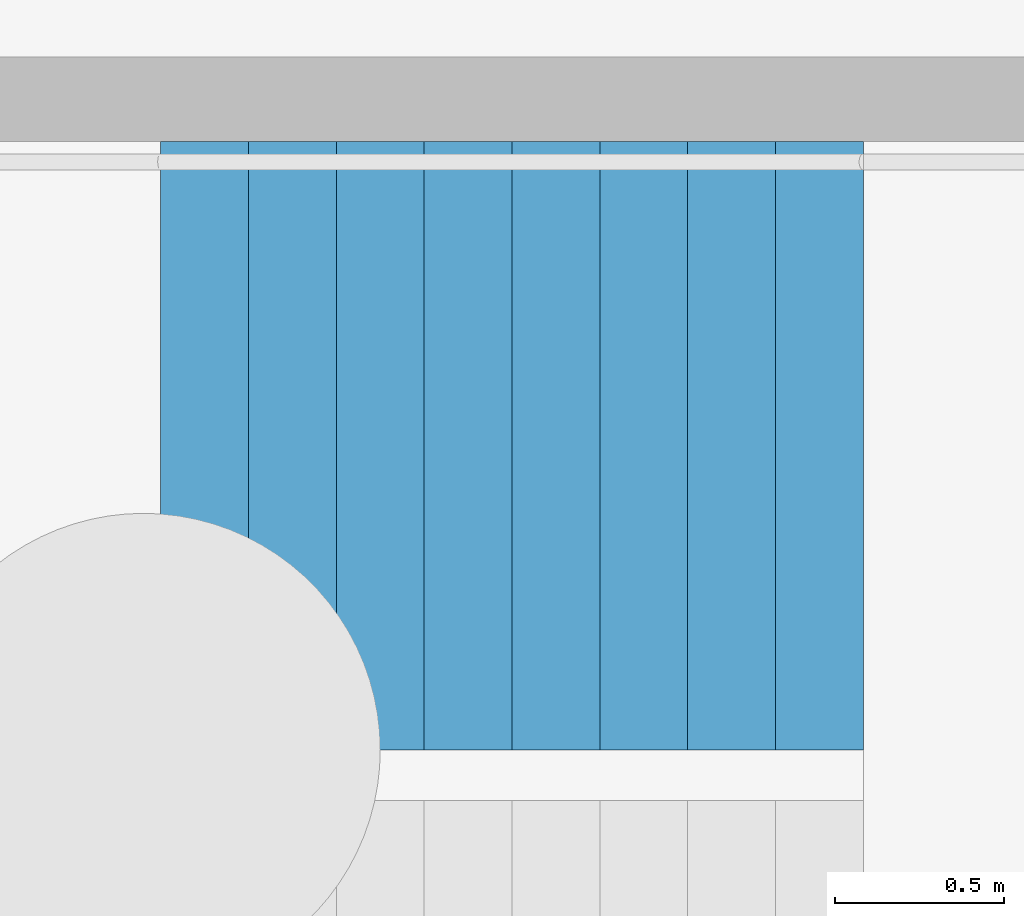
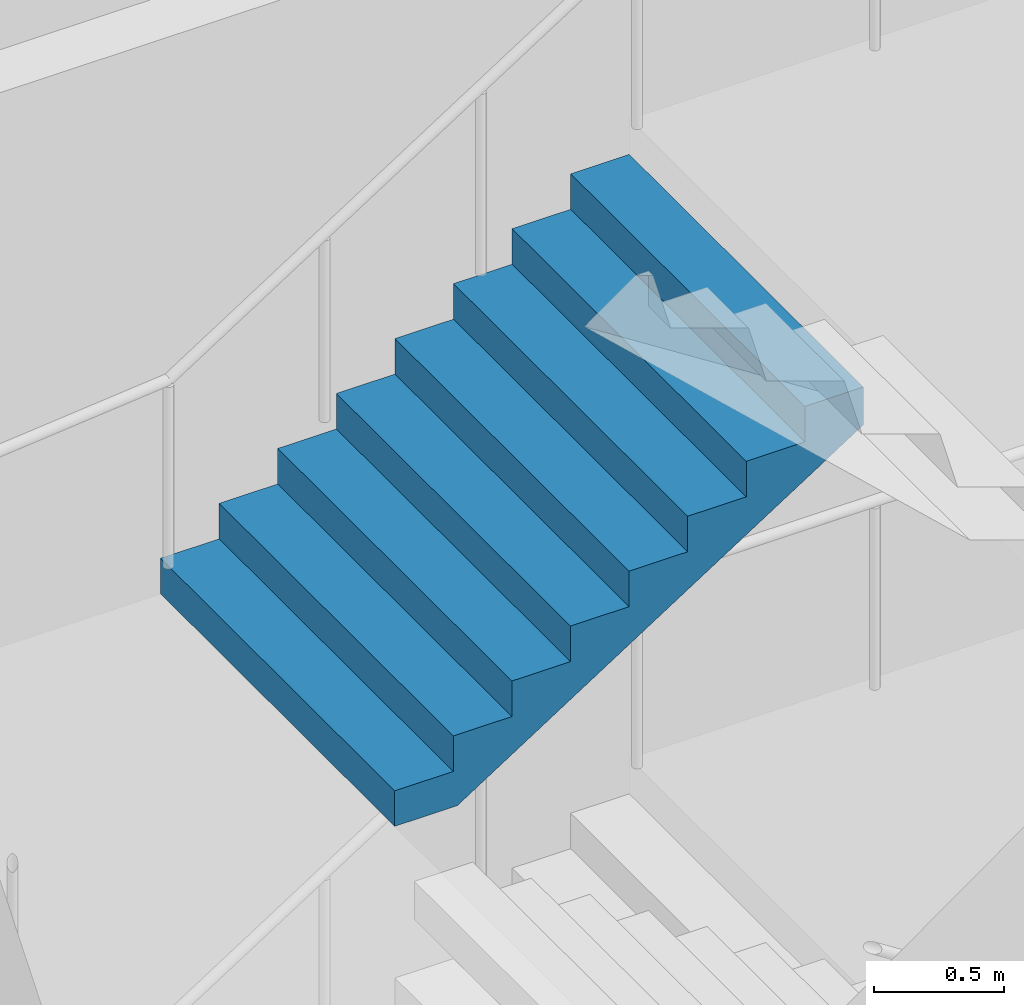
# One storey, part 77 of 113: 1 stair flight, 1 element without a shape of its own.
"""IFC4 building model written with IfcOpenShell, lengths in metres."""

from ifc_helpers import new_model, si_unit, direction, frame, origin, place, context, subcontext, project, spatial, triangles, material, type_object, element, aggregate, save


model = new_model("IFC4")

# Units and contexts
model_context = context("Model", 3, precision=1e-05, world=origin(), true_north=direction((0.0, 1.0)))
body_context = subcontext(model_context, "Body", "Model", "MODEL_VIEW")
ifc_project = project(units=[si_unit("LENGTHUNIT", "METRE"), si_unit("AREAUNIT", "SQUARE_METRE"), si_unit("VOLUMEUNIT", "CUBIC_METRE"), si_unit("PLANEANGLEUNIT", "RADIAN"), si_unit("MASSUNIT", "GRAM", prefix="KILO")], contexts=[model_context])

# Site, building, storey
site_placement = place(None, origin())
site = spatial("IfcSite", under=ifc_project, at=site_placement, CompositionType="ELEMENT")
building_placement = place(site_placement, origin())
building = spatial("IfcBuilding", under=site, at=building_placement, Name="Hakoniwa Tower and Hamabe Station Hall", CompositionType="ELEMENT")
storey_placement = place(building_placement, origin())
storey = spatial("IfcBuildingStorey", under=building, at=storey_placement, Name="L01", CompositionType="ELEMENT", Elevation=0.0)

# Stair, stair flight
ifc_material_1 = material(Name="Concrete C40", Category="concrete")
stair_type = type_object("IfcStairType", Name="ESCAPE STAIR 1800", PredefinedType="HALF_TURN_STAIR", material=ifc_material_1)
stair_placement = place(storey_placement, origin())
stair = element("IfcStair", 1, at=stair_placement, inside=storey, type_object=stair_type, Name="Escape stair ST-4 L01", PredefinedType="HALF_TURN_STAIR")
ifc_material_2 = material(Name="Concrete C40", Category="concrete")
stair_flight_type = type_object("IfcStairFlightType", Name="STAIR FLIGHT 1800", PredefinedType="STRAIGHT", material=ifc_material_2)
stair_flight_placement = place(storey_placement, frame((23.39990234375, -4.64990234375, 6.0), z_axis=(0.0, 0.0, 1.0), x_axis=(1.0, 0.0, 0.0)))
stair_flight = element("IfcStairFlight", 2, at=stair_flight_placement, type_object=stair_flight_type, Name="ST-4 flight 5", NumberOfRisers=9, NumberOfTreads=8, PredefinedType="STRAIGHT", RiserHeight=0.166666667, TreadLength=0.26, context=body_context, shape_type="Tessellation", body=[
    triangles([(0.0, 0.89990234375, 0.0), (0.260009765625, 0.89990234375, 0.0), (0.27783203125, 0.89990234375, 0.0), (0.52001953125, 0.89990234375, 0.1552734375), (0.780029296875, 0.89990234375, 0.322021484375), (1.0400390625, 0.89990234375, 0.488525390625), (1.300048828125, 0.89990234375, 0.6552734375), (1.56005859375, 0.89990234375, 0.822021484375), (1.820068359375, 0.89990234375, 0.988525390625), (2.080078125, 0.89990234375, 1.1552734375), (2.080078125, 0.89990234375, 1.333251953125), (1.820068359375, 0.89990234375, 1.333251953125), (1.820068359375, 0.89990234375, 1.166748046875), (1.56005859375, 0.89990234375, 1.166748046875), (1.56005859375, 0.89990234375, 1.0), (1.300048828125, 0.89990234375, 1.0), (1.300048828125, 0.89990234375, 0.833251953125), (1.0400390625, 0.89990234375, 0.833251953125), (1.0400390625, 0.89990234375, 0.666748046875), (0.780029296875, 0.89990234375, 0.666748046875), (0.780029296875, 0.89990234375, 0.5), (0.52001953125, 0.89990234375, 0.5), (0.52001953125, 0.89990234375, 0.333251953125), (0.27783203125, 0.89990234375, 0.333251953125), (0.260009765625, 0.89990234375, 0.333251953125), (0.260009765625, 0.89990234375, 0.166748046875), (0.0, 0.89990234375, 0.166748046875), (0.0, 0.06005859375, 0.0), (0.260009765625, 0.06005859375, 0.0), (0.27783203125, 0.06005859375, 0.0), (0.52001953125, 0.06005859375, 0.1552734375), (0.780029296875, 0.06005859375, 0.322021484375), (1.0400390625, 0.06005859375, 0.488525390625), (1.300048828125, 0.06005859375, 0.6552734375), (1.56005859375, 0.06005859375, 0.822021484375), (1.820068359375, 0.06005859375, 0.988525390625), (2.080078125, 0.06005859375, 1.1552734375), (2.080078125, 0.06005859375, 1.333251953125), (1.820068359375, 0.06005859375, 1.333251953125), (1.820068359375, 0.06005859375, 1.166748046875), (1.56005859375, 0.06005859375, 1.166748046875), (1.56005859375, 0.06005859375, 1.0), (1.300048828125, 0.06005859375, 1.0), (1.300048828125, 0.06005859375, 0.833251953125), (1.0400390625, 0.06005859375, 0.833251953125), (1.0400390625, 0.06005859375, 0.666748046875), (0.780029296875, 0.06005859375, 0.666748046875), (0.780029296875, 0.06005859375, 0.5), (0.52001953125, 0.06005859375, 0.5), (0.52001953125, 0.06005859375, 0.333251953125), (0.27783203125, 0.06005859375, 0.333251953125), (0.260009765625, 0.06005859375, 0.333251953125), (0.260009765625, 0.06005859375, 0.166748046875), (0.0, 0.06005859375, 0.166748046875), (0.0, 0.04296875, 0.0), (0.260009765625, 0.04296875, 0.0), (0.27783203125, 0.04296875, 0.0), (0.52001953125, 0.04296875, 0.1552734375), (0.780029296875, 0.04296875, 0.322021484375), (1.0400390625, 0.04296875, 0.488525390625), (1.300048828125, 0.04296875, 0.6552734375), (1.56005859375, 0.04296875, 0.822021484375), (1.820068359375, 0.04296875, 0.988525390625), (2.080078125, 0.04296875, 1.1552734375), (2.080078125, 0.04296875, 1.333251953125), (1.820068359375, 0.04296875, 1.333251953125), (1.820068359375, 0.04296875, 1.166748046875), (1.56005859375, 0.04296875, 1.166748046875), (1.56005859375, 0.04296875, 1.0), (1.300048828125, 0.04296875, 1.0), (1.300048828125, 0.04296875, 0.833251953125), (1.0400390625, 0.04296875, 0.833251953125), (1.0400390625, 0.04296875, 0.666748046875), (0.780029296875, 0.04296875, 0.666748046875), (0.780029296875, 0.04296875, 0.5), (0.52001953125, 0.04296875, 0.5), (0.52001953125, 0.04296875, 0.333251953125), (0.27783203125, 0.04296875, 0.333251953125), (0.260009765625, 0.04296875, 0.333251953125), (0.260009765625, 0.04296875, 0.166748046875), (0.0, 0.04296875, 0.166748046875), (0.0, 0.025634765625, 0.0), (0.260009765625, 0.025634765625, 0.0), (0.27783203125, 0.025634765625, 0.0), (0.52001953125, 0.025634765625, 0.1552734375), (0.780029296875, 0.025634765625, 0.322021484375), (1.0400390625, 0.025634765625, 0.488525390625), (1.300048828125, 0.025634765625, 0.6552734375), (1.56005859375, 0.025634765625, 0.822021484375), (1.820068359375, 0.025634765625, 0.988525390625), (2.080078125, 0.025634765625, 1.1552734375), (2.080078125, 0.025634765625, 1.333251953125), (1.820068359375, 0.025634765625, 1.333251953125), (1.820068359375, 0.025634765625, 1.166748046875), (1.56005859375, 0.025634765625, 1.166748046875), (1.56005859375, 0.025634765625, 1.0), (1.300048828125, 0.025634765625, 1.0), (1.300048828125, 0.025634765625, 0.833251953125), (1.0400390625, 0.025634765625, 0.833251953125), (1.0400390625, 0.025634765625, 0.666748046875), (0.780029296875, 0.025634765625, 0.666748046875), (0.780029296875, 0.025634765625, 0.5), (0.52001953125, 0.025634765625, 0.5), (0.52001953125, 0.025634765625, 0.333251953125), (0.27783203125, 0.025634765625, 0.333251953125), (0.260009765625, 0.025634765625, 0.333251953125), (0.260009765625, 0.025634765625, 0.166748046875), (0.0, 0.025634765625, 0.166748046875), (0.0, 0.008544921875, 0.0), (0.260009765625, 0.008544921875, 0.0), (0.27783203125, 0.008544921875, 0.0), (0.52001953125, 0.008544921875, 0.1552734375), (0.780029296875, 0.008544921875, 0.322021484375), (1.0400390625, 0.008544921875, 0.488525390625), (1.300048828125, 0.008544921875, 0.6552734375), (1.56005859375, 0.008544921875, 0.822021484375), (1.820068359375, 0.008544921875, 0.988525390625), (2.080078125, 0.008544921875, 1.1552734375), (2.080078125, 0.008544921875, 1.333251953125), (1.820068359375, 0.008544921875, 1.333251953125), (1.820068359375, 0.008544921875, 1.166748046875), (1.56005859375, 0.008544921875, 1.166748046875), (1.56005859375, 0.008544921875, 1.0), (1.300048828125, 0.008544921875, 1.0), (1.300048828125, 0.008544921875, 0.833251953125), (1.0400390625, 0.008544921875, 0.833251953125), (1.0400390625, 0.008544921875, 0.666748046875), (0.780029296875, 0.008544921875, 0.666748046875), (0.780029296875, 0.008544921875, 0.5), (0.52001953125, 0.008544921875, 0.5), (0.52001953125, 0.008544921875, 0.333251953125), (0.27783203125, 0.008544921875, 0.333251953125), (0.260009765625, 0.008544921875, 0.333251953125), (0.260009765625, 0.008544921875, 0.166748046875), (0.0, 0.008544921875, 0.166748046875), (0.0, -0.008544921875, 0.0), (0.260009765625, -0.008544921875, 0.0), (0.27783203125, -0.008544921875, 0.0), (0.52001953125, -0.008544921875, 0.1552734375), (0.780029296875, -0.008544921875, 0.322021484375), (1.0400390625, -0.008544921875, 0.488525390625), (1.300048828125, -0.008544921875, 0.6552734375), (1.56005859375, -0.008544921875, 0.822021484375), (1.820068359375, -0.008544921875, 0.988525390625), (2.080078125, -0.008544921875, 1.1552734375), (2.080078125, -0.008544921875, 1.333251953125), (1.820068359375, -0.008544921875, 1.333251953125), (1.820068359375, -0.008544921875, 1.166748046875), (1.56005859375, -0.008544921875, 1.166748046875), (1.56005859375, -0.008544921875, 1.0), (1.300048828125, -0.008544921875, 1.0), (1.300048828125, -0.008544921875, 0.833251953125), (1.0400390625, -0.008544921875, 0.833251953125), (1.0400390625, -0.008544921875, 0.666748046875), (0.780029296875, -0.008544921875, 0.666748046875), (0.780029296875, -0.008544921875, 0.5), (0.52001953125, -0.008544921875, 0.5), (0.52001953125, -0.008544921875, 0.333251953125), (0.27783203125, -0.008544921875, 0.333251953125), (0.260009765625, -0.008544921875, 0.333251953125), (0.260009765625, -0.008544921875, 0.166748046875), (0.0, -0.008544921875, 0.166748046875), (0.0, -0.025634765625, 0.0), (0.260009765625, -0.025634765625, 0.0), (0.27783203125, -0.025634765625, 0.0), (0.52001953125, -0.025634765625, 0.1552734375), (0.780029296875, -0.025634765625, 0.322021484375), (1.0400390625, -0.025634765625, 0.488525390625), (1.300048828125, -0.025634765625, 0.6552734375), (1.56005859375, -0.025634765625, 0.822021484375), (1.820068359375, -0.025634765625, 0.988525390625), (2.080078125, -0.025634765625, 1.1552734375), (2.080078125, -0.025634765625, 1.333251953125), (1.820068359375, -0.025634765625, 1.333251953125), (1.820068359375, -0.025634765625, 1.166748046875), (1.56005859375, -0.025634765625, 1.166748046875), (1.56005859375, -0.025634765625, 1.0), (1.300048828125, -0.025634765625, 1.0), (1.300048828125, -0.025634765625, 0.833251953125), (1.0400390625, -0.025634765625, 0.833251953125), (1.0400390625, -0.025634765625, 0.666748046875), (0.780029296875, -0.025634765625, 0.666748046875), (0.780029296875, -0.025634765625, 0.5), (0.52001953125, -0.025634765625, 0.5), (0.52001953125, -0.025634765625, 0.333251953125), (0.27783203125, -0.025634765625, 0.333251953125), (0.260009765625, -0.025634765625, 0.333251953125), (0.260009765625, -0.025634765625, 0.166748046875), (0.0, -0.025634765625, 0.166748046875), (0.0, -0.04296875, 0.0), (0.260009765625, -0.04296875, 0.0), (0.27783203125, -0.04296875, 0.0), (0.52001953125, -0.04296875, 0.1552734375), (0.780029296875, -0.04296875, 0.322021484375), (1.0400390625, -0.04296875, 0.488525390625), (1.300048828125, -0.04296875, 0.6552734375), (1.56005859375, -0.04296875, 0.822021484375), (1.820068359375, -0.04296875, 0.988525390625), (2.080078125, -0.04296875, 1.1552734375), (2.080078125, -0.04296875, 1.333251953125), (1.820068359375, -0.04296875, 1.333251953125), (1.820068359375, -0.04296875, 1.166748046875), (1.56005859375, -0.04296875, 1.166748046875), (1.56005859375, -0.04296875, 1.0), (1.300048828125, -0.04296875, 1.0), (1.300048828125, -0.04296875, 0.833251953125), (1.0400390625, -0.04296875, 0.833251953125), (1.0400390625, -0.04296875, 0.666748046875), (0.780029296875, -0.04296875, 0.666748046875), (0.780029296875, -0.04296875, 0.5), (0.52001953125, -0.04296875, 0.5), (0.52001953125, -0.04296875, 0.333251953125), (0.27783203125, -0.04296875, 0.333251953125), (0.260009765625, -0.04296875, 0.333251953125), (0.260009765625, -0.04296875, 0.166748046875), (0.0, -0.04296875, 0.166748046875), (0.0, -0.06005859375, 0.0), (0.260009765625, -0.06005859375, 0.0), (0.27783203125, -0.06005859375, 0.0), (0.52001953125, -0.06005859375, 0.1552734375), (0.780029296875, -0.06005859375, 0.322021484375), (1.0400390625, -0.06005859375, 0.488525390625), (1.300048828125, -0.06005859375, 0.6552734375), (1.56005859375, -0.06005859375, 0.822021484375), (1.820068359375, -0.06005859375, 0.988525390625), (2.080078125, -0.06005859375, 1.1552734375), (2.080078125, -0.06005859375, 1.333251953125), (1.820068359375, -0.06005859375, 1.333251953125), (1.820068359375, -0.06005859375, 1.166748046875), (1.56005859375, -0.06005859375, 1.166748046875), (1.56005859375, -0.06005859375, 1.0), (1.300048828125, -0.06005859375, 1.0), (1.300048828125, -0.06005859375, 0.833251953125), (1.0400390625, -0.06005859375, 0.833251953125), (1.0400390625, -0.06005859375, 0.666748046875), (0.780029296875, -0.06005859375, 0.666748046875), (0.780029296875, -0.06005859375, 0.5), (0.52001953125, -0.06005859375, 0.5), (0.52001953125, -0.06005859375, 0.333251953125), (0.27783203125, -0.06005859375, 0.333251953125), (0.260009765625, -0.06005859375, 0.333251953125), (0.260009765625, -0.06005859375, 0.166748046875), (0.0, -0.06005859375, 0.166748046875), (0.0, -0.89990234375, 0.0), (0.260009765625, -0.89990234375, 0.0), (0.27783203125, -0.89990234375, 0.0), (0.52001953125, -0.89990234375, 0.1552734375), (0.780029296875, -0.89990234375, 0.322021484375), (1.0400390625, -0.89990234375, 0.488525390625), (1.300048828125, -0.89990234375, 0.6552734375), (1.56005859375, -0.89990234375, 0.822021484375), (1.820068359375, -0.89990234375, 0.988525390625), (2.080078125, -0.89990234375, 1.1552734375), (2.080078125, -0.89990234375, 1.333251953125), (1.820068359375, -0.89990234375, 1.333251953125), (1.820068359375, -0.89990234375, 1.166748046875), (1.56005859375, -0.89990234375, 1.166748046875), (1.56005859375, -0.89990234375, 1.0), (1.300048828125, -0.89990234375, 1.0), (1.300048828125, -0.89990234375, 0.833251953125), (1.0400390625, -0.89990234375, 0.833251953125), (1.0400390625, -0.89990234375, 0.666748046875), (0.780029296875, -0.89990234375, 0.666748046875), (0.780029296875, -0.89990234375, 0.5), (0.52001953125, -0.89990234375, 0.5), (0.52001953125, -0.89990234375, 0.333251953125), (0.27783203125, -0.89990234375, 0.333251953125), (0.260009765625, -0.89990234375, 0.333251953125), (0.260009765625, -0.89990234375, 0.166748046875), (0.0, -0.89990234375, 0.166748046875)], [[2, 27, 26], [245, 269, 270], [2, 1, 27], [245, 270, 244], [3, 25, 24], [246, 267, 268], [3, 26, 25], [246, 268, 269], [3, 2, 26], [246, 269, 245], [4, 24, 23], [247, 266, 267], [4, 3, 24], [247, 267, 246], [5, 22, 21], [248, 264, 265], [5, 23, 22], [248, 265, 266], [5, 4, 23], [248, 266, 247], [6, 20, 19], [249, 262, 263], [6, 21, 20], [249, 263, 264], [6, 5, 21], [249, 264, 248], [7, 18, 17], [250, 260, 261], [7, 19, 18], [250, 261, 262], [7, 6, 19], [250, 262, 249], [8, 16, 15], [251, 258, 259], [8, 17, 16], [251, 259, 260], [8, 7, 17], [251, 260, 250], [9, 14, 13], [252, 256, 257], [9, 15, 14], [252, 257, 258], [9, 8, 15], [252, 258, 251], [10, 12, 11], [253, 254, 255], [10, 13, 12], [253, 255, 256], [10, 9, 13], [253, 256, 252], [1, 2, 29], [1, 29, 28], [28, 29, 56], [28, 56, 55], [55, 56, 83], [55, 83, 82], [82, 83, 110], [82, 110, 109], [109, 110, 137], [109, 137, 136], [136, 137, 164], [136, 164, 163], [163, 164, 191], [163, 191, 190], [190, 191, 218], [190, 218, 217], [217, 218, 245], [217, 245, 244], [2, 3, 30], [2, 30, 29], [29, 30, 57], [29, 57, 56], [56, 57, 84], [56, 84, 83], [83, 84, 111], [83, 111, 110], [110, 111, 138], [110, 138, 137], [137, 138, 165], [137, 165, 164], [164, 165, 192], [164, 192, 191], [191, 192, 219], [191, 219, 218], [218, 219, 246], [218, 246, 245], [3, 4, 31], [3, 31, 30], [30, 31, 58], [30, 58, 57], [57, 58, 85], [57, 85, 84], [84, 85, 112], [84, 112, 111], [111, 112, 139], [111, 139, 138], [138, 139, 166], [138, 166, 165], [165, 166, 193], [165, 193, 192], [192, 193, 220], [192, 220, 219], [219, 220, 247], [219, 247, 246], [4, 5, 32], [4, 32, 31], [31, 32, 59], [31, 59, 58], [58, 59, 86], [58, 86, 85], [85, 86, 113], [85, 113, 112], [112, 113, 140], [112, 140, 139], [139, 140, 167], [139, 167, 166], [166, 167, 194], [166, 194, 193], [193, 194, 221], [193, 221, 220], [220, 221, 248], [220, 248, 247], [5, 6, 33], [5, 33, 32], [32, 33, 60], [32, 60, 59], [59, 60, 87], [59, 87, 86], [86, 87, 114], [86, 114, 113], [113, 114, 141], [113, 141, 140], [140, 141, 168], [140, 168, 167], [167, 168, 195], [167, 195, 194], [194, 195, 222], [194, 222, 221], [221, 222, 249], [221, 249, 248], [6, 7, 34], [6, 34, 33], [33, 34, 61], [33, 61, 60], [60, 61, 88], [60, 88, 87], [87, 88, 115], [87, 115, 114], [114, 115, 142], [114, 142, 141], [141, 142, 169], [141, 169, 168], [168, 169, 196], [168, 196, 195], [195, 196, 223], [195, 223, 222], [222, 223, 250], [222, 250, 249], [7, 8, 35], [7, 35, 34], [34, 35, 62], [34, 62, 61], [61, 62, 89], [61, 89, 88], [88, 89, 116], [88, 116, 115], [115, 116, 143], [115, 143, 142], [142, 143, 170], [142, 170, 169], [169, 170, 197], [169, 197, 196], [196, 197, 224], [196, 224, 223], [223, 224, 251], [223, 251, 250], [8, 9, 36], [8, 36, 35], [35, 36, 63], [35, 63, 62], [62, 63, 90], [62, 90, 89], [89, 90, 117], [89, 117, 116], [116, 117, 144], [116, 144, 143], [143, 144, 171], [143, 171, 170], [170, 171, 198], [170, 198, 197], [197, 198, 225], [197, 225, 224], [224, 225, 252], [224, 252, 251], [9, 10, 37], [9, 37, 36], [36, 37, 64], [36, 64, 63], [63, 64, 91], [63, 91, 90], [90, 91, 118], [90, 118, 117], [117, 118, 145], [117, 145, 144], [144, 145, 172], [144, 172, 171], [171, 172, 199], [171, 199, 198], [198, 199, 226], [198, 226, 225], [225, 226, 253], [225, 253, 252], [10, 11, 38], [10, 38, 37], [37, 38, 65], [37, 65, 64], [64, 65, 92], [64, 92, 91], [91, 92, 119], [91, 119, 118], [118, 119, 146], [118, 146, 145], [145, 146, 173], [145, 173, 172], [172, 173, 200], [172, 200, 199], [199, 200, 227], [199, 227, 226], [226, 227, 254], [226, 254, 253], [11, 12, 39], [11, 39, 38], [38, 39, 66], [38, 66, 65], [65, 66, 93], [65, 93, 92], [92, 93, 120], [92, 120, 119], [119, 120, 147], [119, 147, 146], [146, 147, 174], [146, 174, 173], [173, 174, 201], [173, 201, 200], [200, 201, 228], [200, 228, 227], [227, 228, 255], [227, 255, 254], [12, 13, 40], [12, 40, 39], [39, 40, 67], [39, 67, 66], [66, 67, 94], [66, 94, 93], [93, 94, 121], [93, 121, 120], [120, 121, 148], [120, 148, 147], [147, 148, 175], [147, 175, 174], [174, 175, 202], [174, 202, 201], [201, 202, 229], [201, 229, 228], [228, 229, 256], [228, 256, 255], [13, 14, 41], [13, 41, 40], [40, 41, 68], [40, 68, 67], [67, 68, 95], [67, 95, 94], [94, 95, 122], [94, 122, 121], [121, 122, 149], [121, 149, 148], [148, 149, 176], [148, 176, 175], [175, 176, 203], [175, 203, 202], [202, 203, 230], [202, 230, 229], [229, 230, 257], [229, 257, 256], [14, 15, 42], [14, 42, 41], [41, 42, 69], [41, 69, 68], [68, 69, 96], [68, 96, 95], [95, 96, 123], [95, 123, 122], [122, 123, 150], [122, 150, 149], [149, 150, 177], [149, 177, 176], [176, 177, 204], [176, 204, 203], [203, 204, 231], [203, 231, 230], [230, 231, 258], [230, 258, 257], [15, 16, 43], [15, 43, 42], [42, 43, 70], [42, 70, 69], [69, 70, 97], [69, 97, 96], [96, 97, 124], [96, 124, 123], [123, 124, 151], [123, 151, 150], [150, 151, 178], [150, 178, 177], [177, 178, 205], [177, 205, 204], [204, 205, 232], [204, 232, 231], [231, 232, 259], [231, 259, 258], [16, 17, 44], [16, 44, 43], [43, 44, 71], [43, 71, 70], [70, 71, 98], [70, 98, 97], [97, 98, 125], [97, 125, 124], [124, 125, 152], [124, 152, 151], [151, 152, 179], [151, 179, 178], [178, 179, 206], [178, 206, 205], [205, 206, 233], [205, 233, 232], [232, 233, 260], [232, 260, 259], [17, 18, 45], [17, 45, 44], [44, 45, 72], [44, 72, 71], [71, 72, 99], [71, 99, 98], [98, 99, 126], [98, 126, 125], [125, 126, 153], [125, 153, 152], [152, 153, 180], [152, 180, 179], [179, 180, 207], [179, 207, 206], [206, 207, 234], [206, 234, 233], [233, 234, 261], [233, 261, 260], [18, 19, 46], [18, 46, 45], [45, 46, 73], [45, 73, 72], [72, 73, 100], [72, 100, 99], [99, 100, 127], [99, 127, 126], [126, 127, 154], [126, 154, 153], [153, 154, 181], [153, 181, 180], [180, 181, 208], [180, 208, 207], [207, 208, 235], [207, 235, 234], [234, 235, 262], [234, 262, 261], [19, 20, 47], [19, 47, 46], [46, 47, 74], [46, 74, 73], [73, 74, 101], [73, 101, 100], [100, 101, 128], [100, 128, 127], [127, 128, 155], [127, 155, 154], [154, 155, 182], [154, 182, 181], [181, 182, 209], [181, 209, 208], [208, 209, 236], [208, 236, 235], [235, 236, 263], [235, 263, 262], [20, 21, 48], [20, 48, 47], [47, 48, 75], [47, 75, 74], [74, 75, 102], [74, 102, 101], [101, 102, 129], [101, 129, 128], [128, 129, 156], [128, 156, 155], [155, 156, 183], [155, 183, 182], [182, 183, 210], [182, 210, 209], [209, 210, 237], [209, 237, 236], [236, 237, 264], [236, 264, 263], [21, 22, 49], [21, 49, 48], [48, 49, 76], [48, 76, 75], [75, 76, 103], [75, 103, 102], [102, 103, 130], [102, 130, 129], [129, 130, 157], [129, 157, 156], [156, 157, 184], [156, 184, 183], [183, 184, 211], [183, 211, 210], [210, 211, 238], [210, 238, 237], [237, 238, 265], [237, 265, 264], [22, 23, 50], [22, 50, 49], [49, 50, 77], [49, 77, 76], [76, 77, 104], [76, 104, 103], [103, 104, 131], [103, 131, 130], [130, 131, 158], [130, 158, 157], [157, 158, 185], [157, 185, 184], [184, 185, 212], [184, 212, 211], [211, 212, 239], [211, 239, 238], [238, 239, 266], [238, 266, 265], [23, 24, 51], [23, 51, 50], [50, 51, 78], [50, 78, 77], [77, 78, 105], [77, 105, 104], [104, 105, 132], [104, 132, 131], [131, 132, 159], [131, 159, 158], [158, 159, 186], [158, 186, 185], [185, 186, 213], [185, 213, 212], [212, 213, 240], [212, 240, 239], [239, 240, 267], [239, 267, 266], [24, 25, 52], [24, 52, 51], [51, 52, 79], [51, 79, 78], [78, 79, 106], [78, 106, 105], [105, 106, 133], [105, 133, 132], [132, 133, 160], [132, 160, 159], [159, 160, 187], [159, 187, 186], [186, 187, 214], [186, 214, 213], [213, 214, 241], [213, 241, 240], [240, 241, 268], [240, 268, 267], [25, 26, 53], [25, 53, 52], [52, 53, 80], [52, 80, 79], [79, 80, 107], [79, 107, 106], [106, 107, 134], [106, 134, 133], [133, 134, 161], [133, 161, 160], [160, 161, 188], [160, 188, 187], [187, 188, 215], [187, 215, 214], [214, 215, 242], [214, 242, 241], [241, 242, 269], [241, 269, 268], [26, 27, 54], [26, 54, 53], [53, 54, 81], [53, 81, 80], [80, 81, 108], [80, 108, 107], [107, 108, 135], [107, 135, 134], [134, 135, 162], [134, 162, 161], [161, 162, 189], [161, 189, 188], [188, 189, 216], [188, 216, 215], [215, 216, 243], [215, 243, 242], [242, 243, 270], [242, 270, 269], [27, 1, 28], [27, 28, 54], [54, 28, 55], [54, 55, 81], [81, 55, 82], [81, 82, 108], [108, 82, 109], [108, 109, 135], [135, 109, 136], [135, 136, 162], [162, 136, 163], [162, 163, 189], [189, 163, 190], [189, 190, 216], [216, 190, 217], [216, 217, 243], [243, 217, 244], [243, 244, 270]], closed=True),
])
aggregate(stair, [stair_flight])

save(model, "model.ifc")
